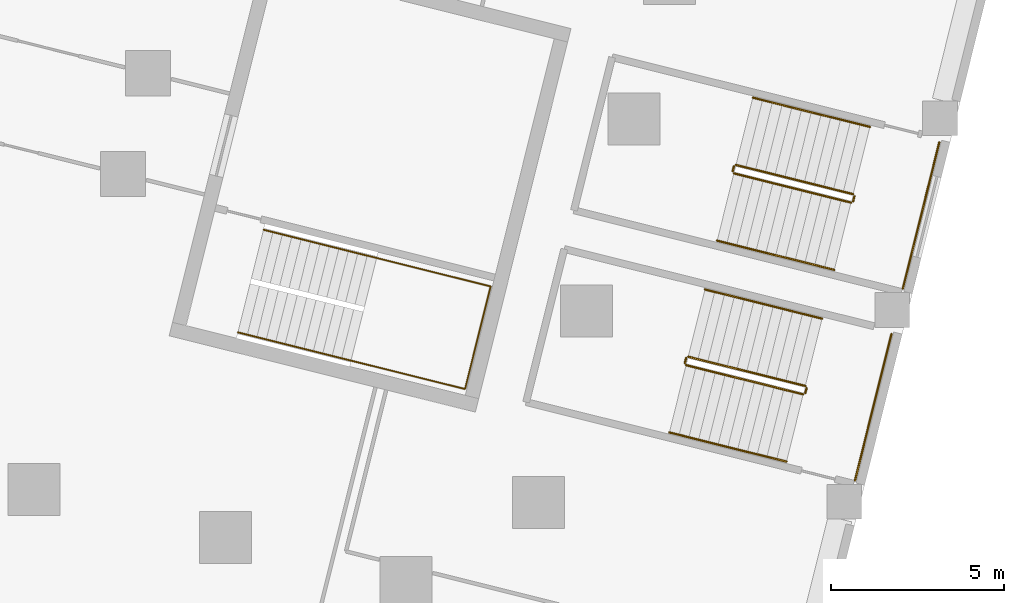
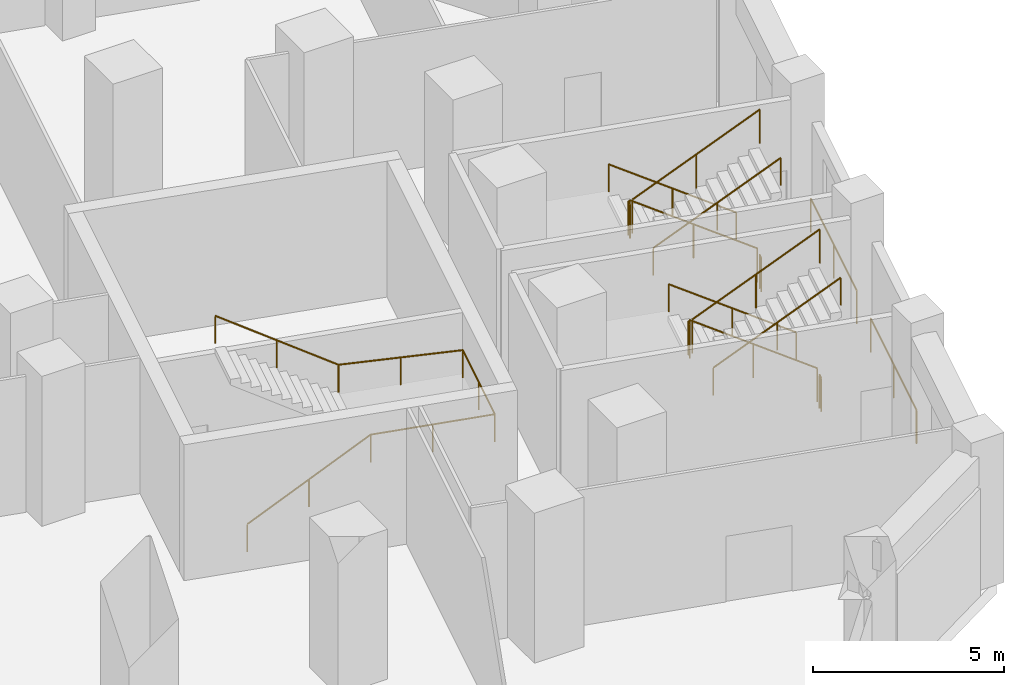
# One storey, part 13 of 16: 15 railings.
"""IFC4 building model written with IfcOpenShell, lengths in metres."""

from ifc_helpers import new_model, si_unit, direction, frame, origin, origin_2d, place, context, subcontext, project, spatial, circle, extrude, material, type_object, element, save


model = new_model("IFC4")

# Units and contexts
model_context = context("Model", 3, precision=1e-05, world=origin(), true_north=direction((0.0, 1.0)))
body_context = subcontext(model_context, "Body", "Model", "MODEL_VIEW")
ifc_project = project(units=[si_unit("LENGTHUNIT", "METRE"), si_unit("AREAUNIT", "SQUARE_METRE"), si_unit("VOLUMEUNIT", "CUBIC_METRE"), si_unit("PLANEANGLEUNIT", "RADIAN"), si_unit("MASSUNIT", "GRAM", prefix="KILO")], contexts=[model_context])

# Site, building, storey
site_placement = place(None, origin())
site = spatial("IfcSite", under=ifc_project, at=site_placement, CompositionType="ELEMENT")
building_placement = place(site_placement, origin())
building = spatial("IfcBuilding", under=site, at=building_placement, Name="Meshkara Civic Tower", CompositionType="ELEMENT")
storey_placement = place(building_placement, frame((0.0, 0.0, 18.60009765625)))
storey = spatial("IfcBuildingStorey", under=building, at=storey_placement, Name="L03", CompositionType="ELEMENT", Elevation=18.60009765625)

# Railings
ifc_material_1 = material(Name="Steel guard", Category="steel")
railing_type_1 = type_object("IfcRailingType", Name="Podium stair guard 1100", PredefinedType="GUARDRAIL", material=ifc_material_1)
railing_1_placement = place(storey_placement, frame((94.407470703125, -14.5361328125, 0.1845703125)))
element("IfcRailing", 1, at=railing_1_placement, inside=storey, type_object=railing_type_1, Name="L03 PS3 stair guard 1", PredefinedType="GUARDRAIL", context=body_context, shape_type="SweptSolid", body=[
    extrude(circle(Radius=0.02392578125, at=origin_2d()), frame((0.0, 0.0, 1.076171875), z_axis=(-0.818517527981, 0.204111557661, 0.53699862981), x_axis=(-0.241957851075, -0.970286760862, 0.0)), (0.0, 0.0, 1.0), 4.12548828125),
    extrude(circle(Radius=0.02099609375, at=origin_2d()), origin(), (0.0, 0.0, 1.0), 1.052001953125),
    extrude(circle(Radius=0.02099609375, at=origin_2d()), frame((-1.6884765625, 0.4208984375, 1.107666015625)), (0.0, 0.0, 1.0), 1.052001953125),
    extrude(circle(Radius=0.02099609375, at=origin_2d()), frame((-3.376708984375, 0.842041015625, 2.21533203125)), (0.0, 0.0, 1.0), 1.052001953125),
])
railing_2_placement = place(storey_placement, frame((90.97021484375, -13.730712890625, 2.39990234375)))
element("IfcRailing", 2, at=railing_2_placement, inside=storey, type_object=railing_type_1, Name="L03 PS3 stair guard 2", PredefinedType="GUARDRAIL", context=body_context, shape_type="SweptSolid", body=[
    extrude(circle(Radius=0.02392578125, at=origin_2d()), frame((0.0, 0.0, 1.076171875), z_axis=(-0.242535625036, -0.970142500145, 0.0), x_axis=(0.970142500145, -0.242535625036, 0.0)), (0.0, 0.0, 1.0), 0.14990234375),
    extrude(circle(Radius=0.02099609375, at=origin_2d()), origin(), (0.0, 0.0, 1.0), 1.052001953125),
    extrude(circle(Radius=0.02099609375, at=origin_2d()), frame((-0.036376953125, -0.1455078125, 0.0)), (0.0, 0.0, 1.0), 1.052001953125),
])
railing_3_placement = place(storey_placement, frame((90.97021484375, -13.936767578125, 2.58447265625)))
element("IfcRailing", 3, at=railing_3_placement, inside=storey, type_object=railing_type_1, Name="L03 PS3 stair guard 3", PredefinedType="GUARDRAIL", context=body_context, shape_type="SweptSolid", body=[
    extrude(circle(Radius=0.02392578125, at=origin_2d()), frame((0.0, 0.0, 1.076171875), z_axis=(0.818527413851, -0.204054842235, 0.537005115558), x_axis=(0.24189180336, 0.970303228618, 0.0)), (0.0, 0.0, 1.0), 4.125244140625),
    extrude(circle(Radius=0.02099609375, at=origin_2d()), origin(), (0.0, 0.0, 1.0), 1.052001953125),
    extrude(circle(Radius=0.02099609375, at=origin_2d()), frame((1.6884765625, -0.4208984375, 1.107666015625)), (0.0, 0.0, 1.0), 1.052001953125),
    extrude(circle(Radius=0.02099609375, at=origin_2d()), frame((3.376708984375, -0.841796875, 2.21533203125)), (0.0, 0.0, 1.0), 1.052001953125),
])
railing_4_placement = place(storey_placement, frame((94.44384765625, -14.5966796875, 0.0)))
element("IfcRailing", 4, at=railing_4_placement, inside=storey, type_object=railing_type_1, Name="L03 PS3 stair guard 4", PredefinedType="GUARDRAIL", context=body_context, shape_type="SweptSolid", body=[
    extrude(circle(Radius=0.02392578125, at=origin_2d()), frame((0.0, 0.0, 1.076171875), z_axis=(-0.242535625036, -0.970142500145, 0.0), x_axis=(0.970142500145, -0.242535625036, 0.0)), (0.0, 0.0, 1.0), 0.14990234375),
    extrude(circle(Radius=0.02099609375, at=origin_2d()), origin(), (0.0, 0.0, 1.0), 1.052001953125),
    extrude(circle(Radius=0.02099609375, at=origin_2d()), frame((-0.036376953125, -0.1455078125, 0.0)), (0.0, 0.0, 1.0), 1.052001953125),
])
railing_5_placement = place(storey_placement, frame((96.892578125, -13.04296875, 0.0)))
element("IfcRailing", 5, at=railing_5_placement, inside=storey, type_object=railing_type_1, Name="L03 PS3 stair guard 5", PredefinedType="GUARDRAIL", context=body_context, shape_type="SweptSolid", body=[
    extrude(circle(Radius=0.02392578125, at=origin_2d()), frame((0.0, 0.0, 1.076171875), z_axis=(-0.241954523554, -0.970287590631, 0.0), x_axis=(0.970287590631, -0.241954523554, 0.0)), (0.0, 0.0, 1.0), 4.349853515625),
    extrude(circle(Radius=0.02099609375, at=origin_2d()), origin(), (0.0, 0.0, 1.0), 1.052001953125),
    extrude(circle(Radius=0.02099609375, at=origin_2d()), frame((-0.5263671875, -2.1103515625, 0.0)), (0.0, 0.0, 1.0), 1.052001953125),
    extrude(circle(Radius=0.02099609375, at=origin_2d()), frame((-1.052490234375, -4.220703125, 0.0)), (0.0, 0.0, 1.0), 1.052001953125),
])
railing_6_placement = place(storey_placement, frame((95.786376953125, -9.005126953125, 0.1845703125)))
element("IfcRailing", 6, at=railing_6_placement, inside=storey, type_object=railing_type_1, Name="L03 PS4 stair guard 1", PredefinedType="GUARDRAIL", context=body_context, shape_type="SweptSolid", body=[
    extrude(circle(Radius=0.02392578125, at=origin_2d()), frame((0.0, 0.0, 1.076171875), z_axis=(-0.818497995467, 0.204121445146, 0.537024642868), x_axis=(-0.241974321886, -0.97028265343, 0.0)), (0.0, 0.0, 1.0), 4.125244140625),
    extrude(circle(Radius=0.02099609375, at=origin_2d()), origin(), (0.0, 0.0, 1.0), 1.052001953125),
    extrude(circle(Radius=0.02099609375, at=origin_2d()), frame((-1.688232421875, 0.4208984375, 1.107666015625)), (0.0, 0.0, 1.0), 1.052001953125),
    extrude(circle(Radius=0.02099609375, at=origin_2d()), frame((-3.37646484375, 0.842041015625, 2.21533203125)), (0.0, 0.0, 1.0), 1.052001953125),
])
railing_7_placement = place(storey_placement, frame((92.34912109375, -8.19970703125, 2.39990234375)))
element("IfcRailing", 7, at=railing_7_placement, inside=storey, type_object=railing_type_1, Name="L03 PS4 stair guard 2", PredefinedType="GUARDRAIL", context=body_context, shape_type="SweptSolid", body=[
    extrude(circle(Radius=0.02392578125, at=origin_2d()), frame((0.0, 0.0, 1.076171875), z_axis=(-0.241002713716, -0.970524441723, 0.0), x_axis=(0.970524441723, -0.241002713716, 0.0)), (0.0, 0.0, 1.0), 0.14990234375),
    extrude(circle(Radius=0.02099609375, at=origin_2d()), origin(), (0.0, 0.0, 1.0), 1.052001953125),
    extrude(circle(Radius=0.02099609375, at=origin_2d()), frame((-0.0361328125, -0.1455078125, 0.0)), (0.0, 0.0, 1.0), 1.052001953125),
])
railing_8_placement = place(storey_placement, frame((92.349365234375, -8.40576171875, 2.58447265625)))
element("IfcRailing", 8, at=railing_8_placement, inside=storey, type_object=railing_type_1, Name="L03 PS4 stair guard 3", PredefinedType="GUARDRAIL", context=body_context, shape_type="SweptSolid", body=[
    extrude(circle(Radius=0.02392578125, at=origin_2d()), frame((0.0, 0.0, 1.076171875), z_axis=(0.818527413851, -0.204054842235, 0.537005115558), x_axis=(0.24189180336, 0.970303228618, 0.0)), (0.0, 0.0, 1.0), 4.125244140625),
    extrude(circle(Radius=0.02099609375, at=origin_2d()), origin(), (0.0, 0.0, 1.0), 1.052001953125),
    extrude(circle(Radius=0.02099609375, at=origin_2d()), frame((1.6884765625, -0.4208984375, 1.107666015625)), (0.0, 0.0, 1.0), 1.052001953125),
    extrude(circle(Radius=0.02099609375, at=origin_2d()), frame((3.376708984375, -0.841796875, 2.21533203125)), (0.0, 0.0, 1.0), 1.052001953125),
])
railing_9_placement = place(storey_placement, frame((95.82275390625, -9.065673828125, 0.0)))
element("IfcRailing", 9, at=railing_9_placement, inside=storey, type_object=railing_type_1, Name="L03 PS4 stair guard 4", PredefinedType="GUARDRAIL", context=body_context, shape_type="SweptSolid", body=[
    extrude(circle(Radius=0.02392578125, at=origin_2d()), frame((0.0, 0.0, 1.076171875), z_axis=(-0.241002713716, -0.970524441723, 0.0), x_axis=(0.970524441723, -0.241002713716, 0.0)), (0.0, 0.0, 1.0), 0.14990234375),
    extrude(circle(Radius=0.02099609375, at=origin_2d()), origin(), (0.0, 0.0, 1.0), 1.052001953125),
    extrude(circle(Radius=0.02099609375, at=origin_2d()), frame((-0.0361328125, -0.1455078125, 0.0)), (0.0, 0.0, 1.0), 1.052001953125),
])
railing_10_placement = place(storey_placement, frame((98.271484375, -7.511962890625, 0.0)))
element("IfcRailing", 10, at=railing_10_placement, inside=storey, type_object=railing_type_1, Name="L03 PS4 stair guard 5", PredefinedType="GUARDRAIL", context=body_context, shape_type="SweptSolid", body=[
    extrude(circle(Radius=0.02392578125, at=origin_2d()), frame((0.0, 0.0, 1.076171875), z_axis=(-0.241901683224, -0.970300765564, 0.0), x_axis=(0.970300765564, -0.241901683224, 0.0)), (0.0, 0.0, 1.0), 4.349853515625),
    extrude(circle(Radius=0.02099609375, at=origin_2d()), origin(), (0.0, 0.0, 1.0), 1.052001953125),
    extrude(circle(Radius=0.02099609375, at=origin_2d()), frame((-0.526123046875, -2.1103515625, 0.0)), (0.0, 0.0, 1.0), 1.052001953125),
    extrude(circle(Radius=0.02099609375, at=origin_2d()), frame((-1.05224609375, -4.220703125, 0.0)), (0.0, 0.0, 1.0), 1.052001953125),
])
ifc_material_2 = material(Name="Steel handrail", Category="steel")
railing_type_2 = type_object("IfcRailingType", Name="Podium stair handrail 900", PredefinedType="HANDRAIL", material=ifc_material_2)
railing_11_placement = place(storey_placement, frame((94.891357421875, -12.595458984375, 0.1845703125)))
element("IfcRailing", 11, at=railing_11_placement, inside=storey, type_object=railing_type_2, Name="L03 PS3 stair handrail 1", PredefinedType="HANDRAIL", context=body_context, shape_type="SweptSolid", body=[
    extrude(circle(Radius=0.02392578125, at=origin_2d()), frame((0.0, 0.0, 0.8759765625), z_axis=(-0.818527413851, 0.204054842235, 0.537005115558), x_axis=(-0.24189180336, -0.970303228618, 0.0)), (0.0, 0.0, 1.0), 4.125244140625),
    extrude(circle(Radius=0.02099609375, at=origin_2d()), origin(), (0.0, 0.0, 1.0), 0.851806640625),
    extrude(circle(Radius=0.02099609375, at=origin_2d()), frame((-1.6884765625, 0.4208984375, 1.107666015625)), (0.0, 0.0, 1.0), 0.851806640625),
    extrude(circle(Radius=0.02099609375, at=origin_2d()), frame((-3.376708984375, 0.841796875, 2.21533203125)), (0.0, 0.0, 1.0), 0.851806640625),
])
railing_12_placement = place(storey_placement, frame((90.486572265625, -15.87744140625, 2.58447265625)))
element("IfcRailing", 12, at=railing_12_placement, inside=storey, type_object=railing_type_2, Name="L03 PS3 stair handrail 2", PredefinedType="HANDRAIL", context=body_context, shape_type="SweptSolid", body=[
    extrude(circle(Radius=0.02392578125, at=origin_2d()), frame((0.0, 0.0, 0.8759765625), z_axis=(0.818507882059, -0.204064727212, 0.537031129559), x_axis=(0.241908270235, 0.970299123359, 0.0)), (0.0, 0.0, 1.0), 4.125244140625),
    extrude(circle(Radius=0.02099609375, at=origin_2d()), origin(), (0.0, 0.0, 1.0), 0.851806640625),
    extrude(circle(Radius=0.02099609375, at=origin_2d()), frame((1.688232421875, -0.4208984375, 1.107666015625)), (0.0, 0.0, 1.0), 0.851806640625),
    extrude(circle(Radius=0.02099609375, at=origin_2d()), frame((3.37646484375, -0.841796875, 2.21533203125)), (0.0, 0.0, 1.0), 0.851806640625),
])
railing_13_placement = place(storey_placement, frame((96.270263671875, -7.064453125, 0.1845703125)))
element("IfcRailing", 13, at=railing_13_placement, inside=storey, type_object=railing_type_2, Name="L03 PS4 stair handrail 1", PredefinedType="HANDRAIL", context=body_context, shape_type="SweptSolid", body=[
    extrude(circle(Radius=0.02392578125, at=origin_2d()), frame((0.0, 0.0, 0.8759765625), z_axis=(-0.818527413851, 0.204054842235, 0.537005115558), x_axis=(-0.24189180336, -0.970303228618, 0.0)), (0.0, 0.0, 1.0), 4.125244140625),
    extrude(circle(Radius=0.02099609375, at=origin_2d()), origin(), (0.0, 0.0, 1.0), 0.851806640625),
    extrude(circle(Radius=0.02099609375, at=origin_2d()), frame((-1.6884765625, 0.4208984375, 1.107666015625)), (0.0, 0.0, 1.0), 0.851806640625),
    extrude(circle(Radius=0.02099609375, at=origin_2d()), frame((-3.376708984375, 0.841796875, 2.21533203125)), (0.0, 0.0, 1.0), 0.851806640625),
])
railing_14_placement = place(storey_placement, frame((91.865478515625, -10.346435546875, 2.58447265625)))
element("IfcRailing", 14, at=railing_14_placement, inside=storey, type_object=railing_type_2, Name="L03 PS4 stair handrail 2", PredefinedType="HANDRAIL", context=body_context, shape_type="SweptSolid", body=[
    extrude(circle(Radius=0.02392578125, at=origin_2d()), frame((0.0, 0.0, 0.8759765625), z_axis=(0.818527413851, -0.204054842235, 0.537005115558), x_axis=(0.24189180336, 0.970303228618, 0.0)), (0.0, 0.0, 1.0), 4.125244140625),
    extrude(circle(Radius=0.02099609375, at=origin_2d()), origin(), (0.0, 0.0, 1.0), 0.851806640625),
    extrude(circle(Radius=0.02099609375, at=origin_2d()), frame((1.6884765625, -0.4208984375, 1.107666015625)), (0.0, 0.0, 1.0), 0.851806640625),
    extrude(circle(Radius=0.02099609375, at=origin_2d()), frame((3.376708984375, -0.841796875, 2.21533203125)), (0.0, 0.0, 1.0), 0.851806640625),
])
ifc_material_3 = material(Name="Steel handrail", Category="steel")
railing_type_3 = type_object("IfcRailingType", Name="Stair handrail 900", PredefinedType="HANDRAIL", material=ifc_material_3)
railing_15_placement = place(storey_placement, frame((78.045166015625, -12.99169921875, 0.1845703125)))
element("IfcRailing", 15, at=railing_15_placement, inside=storey, type_object=railing_type_3, Name="L03 ESB1 stair handrail 1", PredefinedType="HANDRAIL", context=body_context, shape_type="SweptSolid", body=[
    extrude(circle(Radius=0.02392578125, at=origin_2d()), frame((0.0, 0.0, 0.8759765625), z_axis=(0.810049206511, -0.202118013786, 0.550425827459), x_axis=(0.242091113389, 0.970253519869, 0.0)), (0.0, 0.0, 1.0), 4.024658203125),
    extrude(circle(Radius=0.02392578125, at=origin_2d()), frame((3.26025390625, -0.8134765625, 3.09130859375), z_axis=(0.970261006213, -0.242061107622, 0.0), x_axis=(0.242061107622, 0.970261006213, 0.0)), (0.0, 0.0, 1.0), 3.389892578125),
    extrude(circle(Radius=0.02392578125, at=origin_2d()), frame((6.54931640625, -1.634033203125, 3.09130859375), z_axis=(0.242064726708, 0.970260103315, 0.0), x_axis=(-0.970260103315, 0.242064726708, 0.0)), (0.0, 0.0, 1.0), 3.050048828125),
    extrude(circle(Radius=0.02392578125, at=origin_2d()), frame((7.28759765625, 1.3251953125, 3.09130859375), z_axis=(-0.968809167537, 0.241770815117, 0.054366072644), x_axis=(-0.242128906468, -0.970244089213, 0.0)), (0.0, 0.0, 1.0), 3.39501953125),
    extrude(circle(Radius=0.02392578125, at=origin_2d()), frame((3.99853515625, 2.14599609375, 3.27587890625), z_axis=(-0.81005913674, 0.202059831098, 0.550432575017), x_axis=(-0.242022713442, -0.970270584001, 0.0)), (0.0, 0.0, 1.0), 4.024658203125),
    extrude(circle(Radius=0.02099609375, at=origin_2d()), origin(), (0.0, 0.0, 1.0), 0.851806640625),
    extrude(circle(Radius=0.02099609375, at=origin_2d()), frame((1.630126953125, -0.40673828125, 1.107666015625)), (0.0, 0.0, 1.0), 0.851806640625),
    extrude(circle(Radius=0.02099609375, at=origin_2d()), frame((3.26025390625, -0.8134765625, 2.21533203125)), (0.0, 0.0, 1.0), 0.851806640625),
    extrude(circle(Radius=0.02099609375, at=origin_2d()), frame((4.90478515625, -1.2236328125, 2.21533203125)), (0.0, 0.0, 1.0), 0.851806640625),
    extrude(circle(Radius=0.02099609375, at=origin_2d()), frame((6.54931640625, -1.634033203125, 2.21533203125)), (0.0, 0.0, 1.0), 0.851806640625),
    extrude(circle(Radius=0.02099609375, at=origin_2d()), frame((6.91845703125, -0.154296875, 2.21533203125)), (0.0, 0.0, 1.0), 0.851806640625),
    extrude(circle(Radius=0.02099609375, at=origin_2d()), frame((7.28759765625, 1.3251953125, 2.21533203125)), (0.0, 0.0, 1.0), 0.851806640625),
    extrude(circle(Radius=0.02099609375, at=origin_2d()), frame((5.64306640625, 1.735595703125, 2.3076171875)), (0.0, 0.0, 1.0), 0.851806640625),
    extrude(circle(Radius=0.02099609375, at=origin_2d()), frame((3.99853515625, 2.14599609375, 2.39990234375)), (0.0, 0.0, 1.0), 0.851806640625),
    extrude(circle(Radius=0.02099609375, at=origin_2d()), frame((2.368408203125, 2.552734375, 3.507568359375)), (0.0, 0.0, 1.0), 0.851806640625),
    extrude(circle(Radius=0.02099609375, at=origin_2d()), frame((0.73828125, 2.959228515625, 4.615234375)), (0.0, 0.0, 1.0), 0.851806640625),
])

save(model, "model.ifc")
